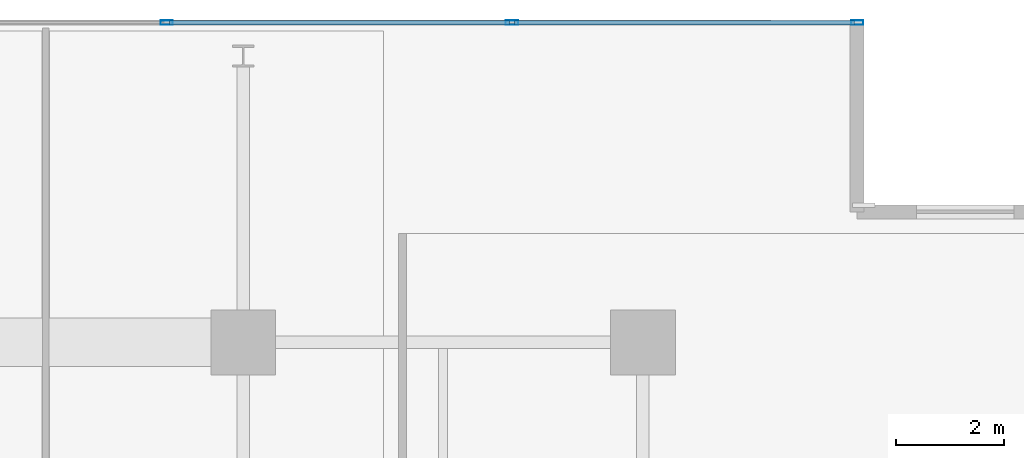
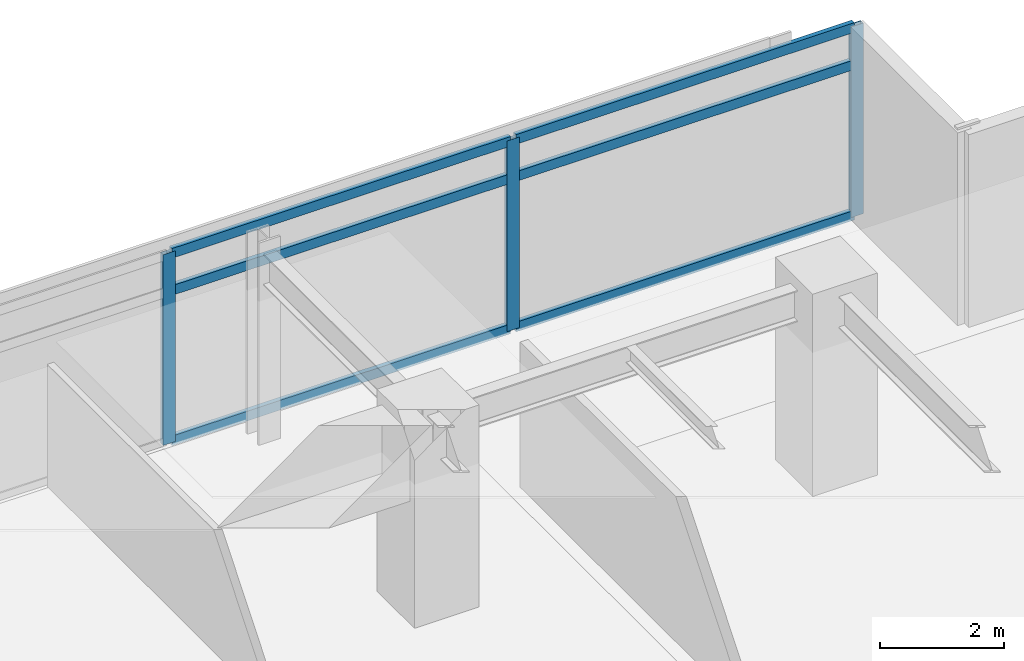
# One storey, part 12 of 24: 9 members, 1 element without a shape of its own.
"""IFC4 building model written with IfcOpenShell, lengths in metres."""

from ifc_helpers import new_model, si_unit, direction, frame, origin, origin_2d, place, context, subcontext, project, spatial, hollow_rectangle, extrude, material, material_profile, profile_set, type_object, element, aggregate, save


model = new_model("IFC4")

# Units and contexts
model_context = context("Model", 3, precision=1e-05, world=origin(), true_north=direction((0.0, 1.0)))
body_context = subcontext(model_context, "Body", "Model", "MODEL_VIEW")
ifc_project = project(units=[si_unit("LENGTHUNIT", "METRE"), si_unit("AREAUNIT", "SQUARE_METRE"), si_unit("VOLUMEUNIT", "CUBIC_METRE"), si_unit("PLANEANGLEUNIT", "RADIAN"), si_unit("MASSUNIT", "GRAM", prefix="KILO")], contexts=[model_context])

# Site, building, storey
site_placement = place(None, origin())
site = spatial("IfcSite", under=ifc_project, at=site_placement, CompositionType="ELEMENT")
building_placement = place(site_placement, origin())
building = spatial("IfcBuilding", under=site, at=building_placement, Name="Kovane Verandah Tower", CompositionType="ELEMENT")
storey_placement = place(building_placement, frame((0.0, 0.0, 259.199951171875)))
storey = spatial("IfcBuildingStorey", under=building, at=storey_placement, Name="L60", CompositionType="ELEMENT", Elevation=259.199951171875)

# Curtain wall, members
ifc_material_1 = material(Name="Champagne Anodised Aluminium Frame with Low-E Clear Laminated Glass", Category="aluminium")
curtain_wall_type = type_object("IfcCurtainWallType", Name="CW-SYS-05-HIGH", PredefinedType="NOTDEFINED", material=ifc_material_1)
curtain_wall_placement = place(storey_placement, origin())
curtain_wall = element("IfcCurtainWall", 1, at=curtain_wall_placement, inside=storey, type_object=curtain_wall_type, Name="L60 N Unitised Curtain Wall", PredefinedType="NOTDEFINED")
ifc_material_2 = material(Name="Champagne Anodised Aluminium 6063-T6", Category="aluminium")
ifc_material_profile_1 = material_profile(ifc_material_2, hollow_rectangle(XDim=0.0849609375, YDim=0.22998046875, WallThickness=0.00390625, at=origin_2d()), Name="AL85x230x4")
ifc_profile_set_1 = profile_set([ifc_material_profile_1], Name="Champagne Anodised Aluminium 6063-T6")
member_type_1 = type_object("IfcMemberType", Name="CW-MUL-85x230", PredefinedType="MULLION", material=ifc_profile_set_1)
member_1_placement = place(storey_placement, frame((62.366455078125, 50.1181640625, 0.02001953125), z_axis=(0.0, 0.0, 1.0), x_axis=(0.0, 1.0, 0.0)))
member_1 = element("IfcMember", 2, at=member_1_placement, type_object=member_type_1, Name="L60 N Unitised Curtain Wall Mullion 1", PredefinedType="MULLION", context=body_context, shape_type="SweptSolid", body=[
    extrude(hollow_rectangle(XDim=0.0849609375, YDim=0.22998046875, WallThickness=0.00390625, at=origin_2d()), origin(), (0.0, 0.0, 1.0), 3.7451171875),
])
member_2_placement = place(storey_placement, frame((55.97607421875, 50.1181640625, 0.02001953125), z_axis=(0.0, 0.0, 1.0), x_axis=(0.0, 1.0, 0.0)))
member_2 = element("IfcMember", 3, at=member_2_placement, type_object=member_type_1, Name="L60 N Unitised Curtain Wall Mullion 2", PredefinedType="MULLION", context=body_context, shape_type="SweptSolid", body=[
    extrude(hollow_rectangle(XDim=0.0849609375, YDim=0.22998046875, WallThickness=0.00390625, at=origin_2d()), origin(), (0.0, 0.0, 1.0), 3.7451171875),
])
member_3_placement = place(storey_placement, frame((49.585693359375, 50.1181640625, 0.02001953125), z_axis=(0.0, 0.0, 1.0), x_axis=(0.0, 1.0, 0.0)))
member_3 = element("IfcMember", 4, at=member_3_placement, type_object=member_type_1, Name="L60 N Unitised Curtain Wall Mullion 3", PredefinedType="MULLION", context=body_context, shape_type="SweptSolid", body=[
    extrude(hollow_rectangle(XDim=0.0849609375, YDim=0.22998046875, WallThickness=0.00390625, at=origin_2d()), origin(), (0.0, 0.0, 1.0), 3.7451171875),
])
ifc_material_profile_2 = material_profile(ifc_material_2, hollow_rectangle(XDim=0.0849609375, YDim=0.18994140625, WallThickness=0.00390625, at=origin_2d()), Name="AL85x190x4")
ifc_profile_set_2 = profile_set([ifc_material_profile_2], Name="Champagne Anodised Aluminium 6063-T6")
member_type_2 = type_object("IfcMemberType", Name="CW-TRN-85x190", PredefinedType="USERDEFINED", material=ifc_profile_set_2)
member_4_placement = place(storey_placement, frame((62.31640625, 50.1181640625, 0.050048828125), z_axis=(-1.0, 0.0, 0.0), x_axis=(0.0, -1.0, 0.0)))
member_4 = element("IfcMember", 5, at=member_4_placement, type_object=member_type_2, Name="L60 N Unitised Curtain Wall Transom TB Bay 1", ObjectType="TRANSOM", PredefinedType="USERDEFINED", context=body_context, shape_type="SweptSolid", body=[
    extrude(hollow_rectangle(XDim=0.0849609375, YDim=0.18994140625, WallThickness=0.00390625, at=origin_2d()), origin(), (0.0, 0.0, 1.0), 6.290283203125),
])
member_5_placement = place(storey_placement, frame((62.31640625, 50.1181640625, 3.005126953125), z_axis=(-1.0, 0.0, 0.0), x_axis=(0.0, -1.0, 0.0)))
member_5 = element("IfcMember", 6, at=member_5_placement, type_object=member_type_2, Name="L60 N Unitised Curtain Wall Transom TM Bay 1", ObjectType="TRANSOM", PredefinedType="USERDEFINED", context=body_context, shape_type="SweptSolid", body=[
    extrude(hollow_rectangle(XDim=0.0849609375, YDim=0.18994140625, WallThickness=0.00390625, at=origin_2d()), origin(), (0.0, 0.0, 1.0), 6.290283203125),
])
member_6_placement = place(storey_placement, frame((62.31640625, 50.1181640625, 3.735107421875), z_axis=(-1.0, 0.0, 0.0), x_axis=(0.0, -1.0, 0.0)))
member_6 = element("IfcMember", 7, at=member_6_placement, type_object=member_type_2, Name="L60 N Unitised Curtain Wall Transom TT Bay 1", ObjectType="TRANSOM", PredefinedType="USERDEFINED", context=body_context, shape_type="SweptSolid", body=[
    extrude(hollow_rectangle(XDim=0.0849609375, YDim=0.18994140625, WallThickness=0.00390625, at=origin_2d()), origin(), (0.0, 0.0, 1.0), 6.290283203125),
])
member_7_placement = place(storey_placement, frame((55.926025390625, 50.1181640625, 0.050048828125), z_axis=(-1.0, 0.0, 0.0), x_axis=(0.0, -1.0, 0.0)))
member_7 = element("IfcMember", 8, at=member_7_placement, type_object=member_type_2, Name="L60 N Unitised Curtain Wall Transom TB Bay 2", ObjectType="TRANSOM", PredefinedType="USERDEFINED", context=body_context, shape_type="SweptSolid", body=[
    extrude(hollow_rectangle(XDim=0.0849609375, YDim=0.18994140625, WallThickness=0.00390625, at=origin_2d()), origin(), (0.0, 0.0, 1.0), 6.29052734375),
])
member_8_placement = place(storey_placement, frame((55.926025390625, 50.1181640625, 3.005126953125), z_axis=(-1.0, 0.0, 0.0), x_axis=(0.0, -1.0, 0.0)))
member_8 = element("IfcMember", 9, at=member_8_placement, type_object=member_type_2, Name="L60 N Unitised Curtain Wall Transom TM Bay 2", ObjectType="TRANSOM", PredefinedType="USERDEFINED", context=body_context, shape_type="SweptSolid", body=[
    extrude(hollow_rectangle(XDim=0.0849609375, YDim=0.18994140625, WallThickness=0.00390625, at=origin_2d()), origin(), (0.0, 0.0, 1.0), 6.29052734375),
])
member_9_placement = place(storey_placement, frame((55.926025390625, 50.1181640625, 3.735107421875), z_axis=(-1.0, 0.0, 0.0), x_axis=(0.0, -1.0, 0.0)))
member_9 = element("IfcMember", 10, at=member_9_placement, type_object=member_type_2, Name="L60 N Unitised Curtain Wall Transom TT Bay 2", ObjectType="TRANSOM", PredefinedType="USERDEFINED", context=body_context, shape_type="SweptSolid", body=[
    extrude(hollow_rectangle(XDim=0.0849609375, YDim=0.18994140625, WallThickness=0.00390625, at=origin_2d()), origin(), (0.0, 0.0, 1.0), 6.29052734375),
])
aggregate(curtain_wall, [member_1, member_2, member_3, member_4, member_5, member_6, member_7, member_8, member_9])

save(model, "model.ifc")
